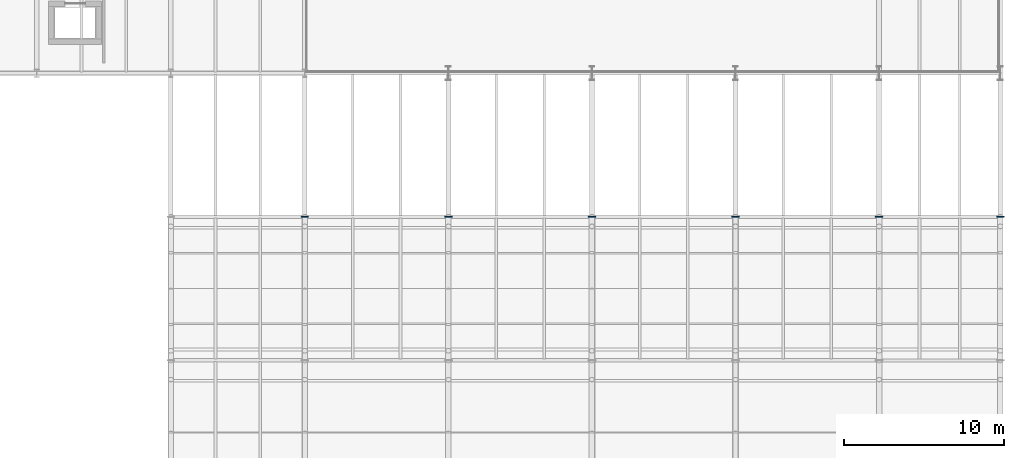
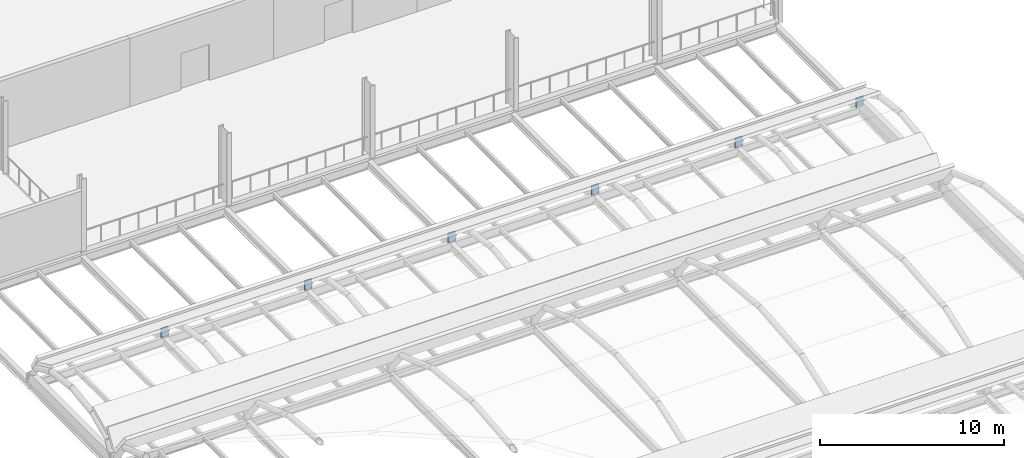
# One storey, part 45 of 63: 6 plates.
"""IFC4 building model written with IfcOpenShell, lengths in metres."""

from ifc_helpers import new_model, si_unit, direction, frame, origin, origin_2d, place, context, subcontext, project, spatial, rectangle, extrude, material, layer, layer_set, type_object, element, save


model = new_model("IFC4")

# Units and contexts
model_context = context("Model", 3, precision=1e-05, world=origin(), true_north=direction((0.0, 1.0)))
body_context = subcontext(model_context, "Body", "Model", "MODEL_VIEW")
ifc_project = project(units=[si_unit("LENGTHUNIT", "METRE"), si_unit("AREAUNIT", "SQUARE_METRE"), si_unit("VOLUMEUNIT", "CUBIC_METRE"), si_unit("PLANEANGLEUNIT", "RADIAN"), si_unit("MASSUNIT", "GRAM", prefix="KILO")], contexts=[model_context])

# Site, building, storey
site_placement = place(None, origin())
site = spatial("IfcSite", under=ifc_project, at=site_placement, CompositionType="ELEMENT")
building_placement = place(site_placement, origin())
building = spatial("IfcBuilding", under=site, at=building_placement, Name="Sefraquen Railside Congress Hotel", CompositionType="ELEMENT")
storey_placement = place(building_placement, frame((0.0, 0.0, 11.39990234375)))
storey = spatial("IfcBuildingStorey", under=building, at=storey_placement, Name="L02", CompositionType="ELEMENT", Elevation=11.39990234375)

# Plates
ifc_material = material(Name="Steel S355J2", Category="steel")
ifc_layer = layer(ifc_material, 0.050048828125)
ifc_layer_set = layer_set([ifc_layer], Name="Steel S355J2")
plate_type = type_object("IfcPlateType", Name="TP-BPL-01", PredefinedType="SHEET", material=ifc_layer_set)
for number, where, z_axis, x_axis, name in (
    (1, (128.39990234375, 45.0, -0.36962890625), (0.0, 0.0, 1.0), (1.0, 0.0, 0.0), "Thermal Spa vault springing base plate 2-45"),
    (2, (137.39990234375, 45.0, -0.36962890625), (0.0, 0.0, 1.0), (1.0, 0.0, 0.0), "Thermal Spa vault springing base plate 3-45"),
    (3, (146.39990234375, 45.0, -0.36962890625), (0.0, 0.0, 1.0), (1.0, 0.0, 0.0), "Thermal Spa vault springing base plate 4-45"),
    (4, (155.39990234375, 45.0, -0.36962890625), (0.0, 0.0, 1.0), (1.0, 0.0, 0.0), "Thermal Spa vault springing base plate 5-45"),
    (5, (164.39990234375, 45.0, -0.36962890625), (0.0, 0.0, 1.0), (1.0, 0.0, 0.0), "Thermal Spa vault springing base plate 6-45"),
    (6, (172.0, 45.0, -0.36962890625), (0.0, 0.0, 1.0), (1.0, 0.0, 0.0), "Thermal Spa vault springing base plate 7-45"),
):
    element("IfcPlate", number, at=place(storey_placement, frame(where, z_axis=z_axis, x_axis=x_axis)), inside=storey, type_object=plate_type, Name=name, PredefinedType="SHEET", context=body_context, shape_type="SweptSolid", body=[
        extrude(rectangle(XDim=0.4599609375, YDim=0.050048828125, at=origin_2d()), origin(), (0.0, 0.0, 1.0), 0.659912109375),
    ])

save(model, "model.ifc")
